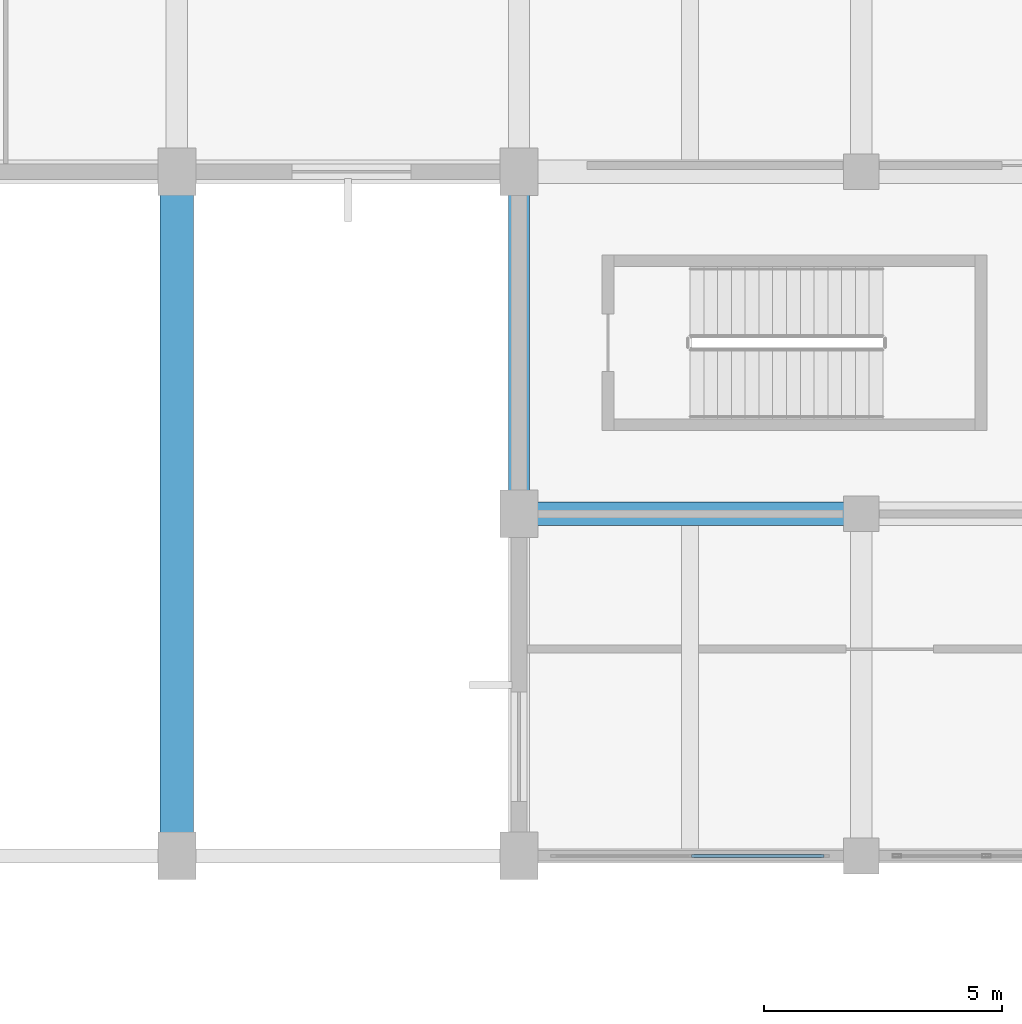
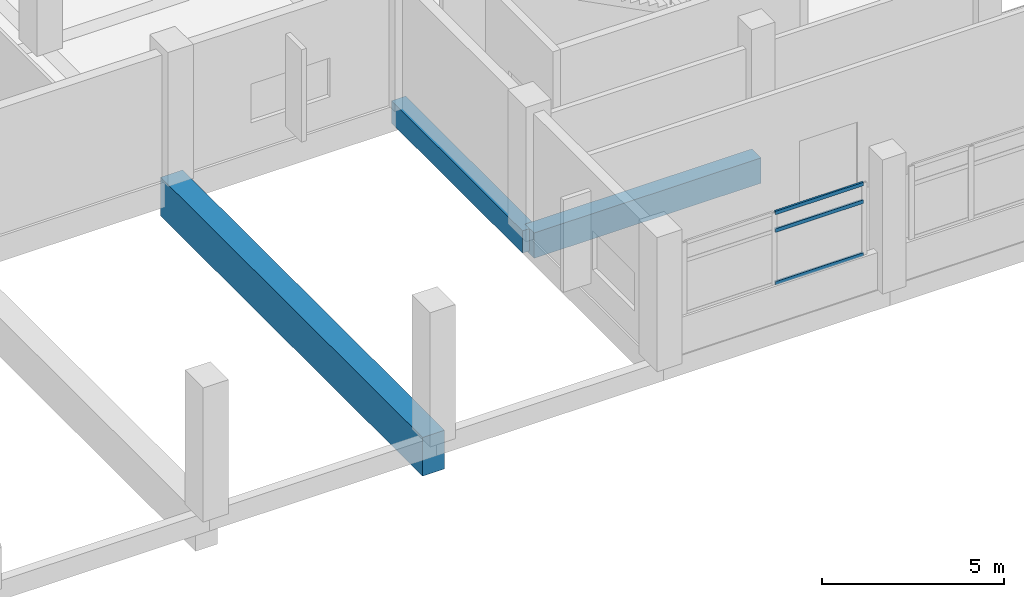
# One storey, part 8 of 141: 3 beams, 3 members, 1 element without a shape of its own.
"""IFC4 building model written with IfcOpenShell, lengths in metres."""

from ifc_helpers import new_model, si_unit, direction, frame, origin, origin_2d, place, context, subcontext, project, spatial, rectangle, hollow_rectangle, extrude, material, layer, layer_set, material_profile, profile_set, type_object, element, aggregate, save


model = new_model("IFC4")

# Units and contexts
model_context = context("Model", 3, precision=1e-05, world=origin(), true_north=direction((0.0, 1.0)))
body_context = subcontext(model_context, "Body", "Model", "MODEL_VIEW")
ifc_project = project(units=[si_unit("LENGTHUNIT", "METRE"), si_unit("AREAUNIT", "SQUARE_METRE"), si_unit("VOLUMEUNIT", "CUBIC_METRE"), si_unit("PLANEANGLEUNIT", "RADIAN"), si_unit("MASSUNIT", "GRAM", prefix="KILO")], contexts=[model_context])

# Site, building, storey
site_placement = place(None, origin())
site = spatial("IfcSite", under=ifc_project, at=site_placement, CompositionType="ELEMENT")
building_placement = place(site_placement, origin())
building = spatial("IfcBuilding", under=site, at=building_placement, Name="Seraya Terrace Polytechnic", CompositionType="ELEMENT")
storey_placement = place(building_placement, frame((0.0, 0.0, 14.39990234375)))
storey = spatial("IfcBuildingStorey", under=building, at=storey_placement, Name="L03", CompositionType="ELEMENT", Elevation=14.39990234375)

# Beams
ifc_material_1 = material(Name="Concrete C40/50", Category="concrete")
ifc_material_profile_1 = material_profile(ifc_material_1, rectangle(XDim=0.699951171875, YDim=1.300048828125, at=origin_2d()), Name="RC 700x1300")
ifc_profile_set_1 = profile_set([ifc_material_profile_1], Name="Concrete C40/50")
beam_type_1 = type_object("IfcBeamType", Name="BG-01", PredefinedType="USERDEFINED", material=ifc_profile_set_1)
beam_1_placement = place(storey_placement, frame((36.0, 0.0, -0.64990234375), z_axis=(0.0, 1.0, 0.0), x_axis=(-1.0, 0.0, 0.0)))
element("IfcBeam", 1, at=beam_1_placement, inside=storey, type_object=beam_type_1, Name="Beam BG-01 L03 Y (36.0, 0.0..14.4)", ObjectType="GIRDER", PredefinedType="USERDEFINED", context=body_context, shape_type="SweptSolid", body=[
    extrude(rectangle(XDim=0.699951171875, YDim=1.300048828125, at=origin_2d()), origin(), (0.0, 0.0, 1.0), 14.39990234375),
])
ifc_material_profile_2 = material_profile(ifc_material_1, rectangle(XDim=0.5, YDim=0.85009765625, at=origin_2d()), Name="RC 500x850")
ifc_profile_set_2 = profile_set([ifc_material_profile_2], Name="Concrete C40/50")
beam_type_2 = type_object("IfcBeamType", Name="BM-05", PredefinedType="BEAM", material=ifc_profile_set_2)
beam_2_placement = place(storey_placement, frame((43.199951171875, 7.199951171875, -0.4248046875), z_axis=(1.0, 0.0, 0.0), x_axis=(0.0, 1.0, 0.0)))
element("IfcBeam", 2, at=beam_2_placement, inside=storey, type_object=beam_type_2, Name="Beam BM-05 L03 X (43.2..50.4, 7.2)", PredefinedType="BEAM", context=body_context, shape_type="SweptSolid", body=[
    extrude(rectangle(XDim=0.5, YDim=0.85009765625, at=origin_2d()), origin(), (0.0, 0.0, 1.0), 7.199951171875),
])
ifc_material_profile_3 = material_profile(ifc_material_1, rectangle(XDim=0.449951171875, YDim=0.75, at=origin_2d()), Name="RC 450x750")
ifc_profile_set_3 = profile_set([ifc_material_profile_3], Name="Concrete C40/50")
beam_type_3 = type_object("IfcBeamType", Name="BM-08", PredefinedType="BEAM", material=ifc_profile_set_3)
beam_3_placement = place(storey_placement, frame((43.199951171875, 7.199951171875, -0.375), z_axis=(0.0, 1.0, 0.0), x_axis=(-1.0, 0.0, 0.0)))
element("IfcBeam", 3, at=beam_3_placement, inside=storey, type_object=beam_type_3, Name="Beam BM-08 L03 Y (43.2, 7.2..14.4)", PredefinedType="BEAM", context=body_context, shape_type="SweptSolid", body=[
    extrude(rectangle(XDim=0.449951171875, YDim=0.75, at=origin_2d()), origin(), (0.0, 0.0, 1.0), 7.199951171875),
])

# Curtain wall, members
ifc_material_2 = material(Name="Anodised aluminium EN AW-6063 T6", Category="aluminium")
ifc_layer = layer(ifc_material_2, 0.179931640625, Name="CW-35")
ifc_layer_set = layer_set([ifc_layer], Name="Anodised aluminium EN AW-6063 T6")
curtain_wall_type = type_object("IfcCurtainWallType", Name="CW-35", PredefinedType="NOTDEFINED", material=ifc_layer_set)
curtain_wall_placement = place(storey_placement, origin())
curtain_wall = element("IfcCurtainWall", 4, at=curtain_wall_placement, inside=storey, type_object=curtain_wall_type, Name="Unitised curtain wall CW-35 (CW-L03-107)", PredefinedType="NOTDEFINED")
ifc_material_profile_4 = material_profile(ifc_material_2, hollow_rectangle(XDim=0.06005859375, YDim=0.1201171875, WallThickness=0.003173828125, at=origin_2d()), Name="RHS 120x60x3.2")
ifc_profile_set_4 = profile_set([ifc_material_profile_4], Name="Anodised aluminium EN AW-6063 T6")
member_type = type_object("IfcMemberType", Name="CWT-02", PredefinedType="USERDEFINED", material=ifc_profile_set_4)
member_1_placement = place(storey_placement, frame((49.6201171875, 0.0, 1.27001953125), z_axis=(-1.0, 0.0, 0.0), x_axis=(0.0, -1.0, 0.0)))
member_1 = element("IfcMember", 5, at=member_1_placement, type_object=member_type, Name="CW-35 transom 1.1", ObjectType="TRANSOM", PredefinedType="USERDEFINED", context=body_context, shape_type="SweptSolid", body=[
    extrude(hollow_rectangle(XDim=0.06005859375, YDim=0.1201171875, WallThickness=0.003173828125, at=origin_2d()), origin(), (0.0, 0.0, 1.0), 2.7900390625),
])
member_2_placement = place(storey_placement, frame((49.6201171875, 0.0, 3.0400390625), z_axis=(-1.0, 0.0, 0.0), x_axis=(0.0, -1.0, 0.0)))
member_2 = element("IfcMember", 6, at=member_2_placement, type_object=member_type, Name="CW-35 transom 1.2", ObjectType="TRANSOM", PredefinedType="USERDEFINED", context=body_context, shape_type="SweptSolid", body=[
    extrude(hollow_rectangle(XDim=0.06005859375, YDim=0.1201171875, WallThickness=0.003173828125, at=origin_2d()), origin(), (0.0, 0.0, 1.0), 2.7900390625),
])
member_3_placement = place(storey_placement, frame((49.6201171875, 0.0, 3.630126953125), z_axis=(-1.0, 0.0, 0.0), x_axis=(0.0, -1.0, 0.0)))
member_3 = element("IfcMember", 7, at=member_3_placement, type_object=member_type, Name="CW-35 transom 1.3", ObjectType="TRANSOM", PredefinedType="USERDEFINED", context=body_context, shape_type="SweptSolid", body=[
    extrude(hollow_rectangle(XDim=0.06005859375, YDim=0.1201171875, WallThickness=0.003173828125, at=origin_2d()), origin(), (0.0, 0.0, 1.0), 2.7900390625),
])
aggregate(curtain_wall, [member_1, member_2, member_3])

save(model, "model.ifc")
